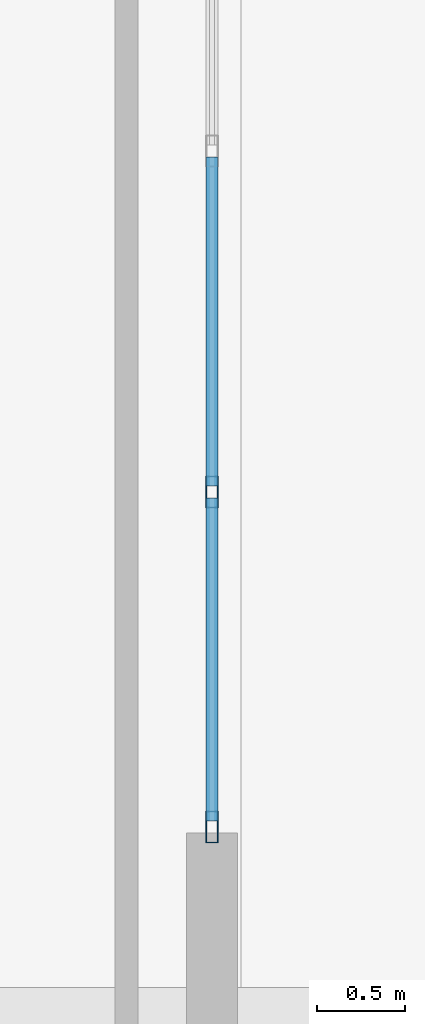
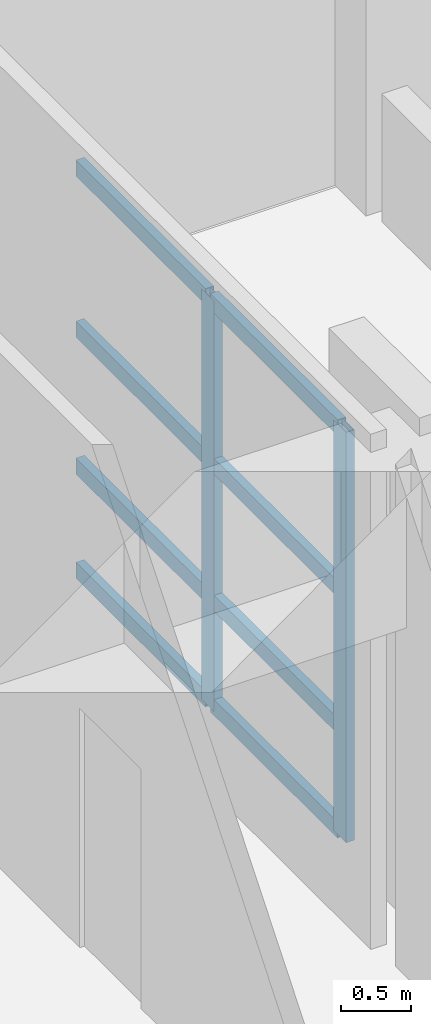
# One storey, part 19 of 123: 10 members, 1 element without a shape of its own.
"""IFC4 building model written with IfcOpenShell, lengths in metres."""

from ifc_helpers import new_model, si_unit, direction, frame, origin, origin_2d, place, context, subcontext, project, spatial, hollow_rectangle, extrude, material, layer, layer_set, material_profile, profile_set, type_object, element, aggregate, save


model = new_model("IFC4")

# Units and contexts
model_context = context("Model", 3, precision=1e-05, world=origin(), true_north=direction((0.0, 1.0)))
body_context = subcontext(model_context, "Body", "Model", "MODEL_VIEW")
ifc_project = project(units=[si_unit("LENGTHUNIT", "METRE"), si_unit("AREAUNIT", "SQUARE_METRE"), si_unit("VOLUMEUNIT", "CUBIC_METRE"), si_unit("PLANEANGLEUNIT", "RADIAN"), si_unit("MASSUNIT", "GRAM", prefix="KILO")], contexts=[model_context])

# Site, building, storey
site_placement = place(None, origin())
site = spatial("IfcSite", under=ifc_project, at=site_placement, CompositionType="ELEMENT")
building_placement = place(site_placement, origin())
building = spatial("IfcBuilding", under=site, at=building_placement, Name="Quendrovan Civic Courthouse", CompositionType="ELEMENT")
storey_placement = place(building_placement, frame((0.0, 0.0, 5.39990234375)))
storey = spatial("IfcBuildingStorey", under=building, at=storey_placement, Name="L02", CompositionType="ELEMENT", Elevation=5.39990234375)

# Curtain wall, members
ifc_material_1 = material(Name="Bronze anodised aluminium and low-E glass", Category="aluminium")
ifc_layer = layer(ifc_material_1, 0.179931640625, Name="Bronze anodised aluminium and low-E glass")
ifc_layer_set = layer_set([ifc_layer], Name="Bronze anodised aluminium and low-E glass")
curtain_wall_type = type_object("IfcCurtainWallType", Name="CW-U58x36", PredefinedType="USERDEFINED", material=ifc_layer_set)
curtain_wall_placement = place(storey_placement, origin())
curtain_wall = element("IfcCurtainWall", 1, at=curtain_wall_placement, inside=storey, type_object=curtain_wall_type, Name="L02 Unitised Hurricane Curtain Wall CW-076", ObjectType="UNITISED CURTAIN WALL", PredefinedType="USERDEFINED")
ifc_material_2 = material(Name="Bronze anodised aluminium", Category="aluminium")
ifc_material_profile_1 = material_profile(ifc_material_2, hollow_rectangle(XDim=0.070068359375, YDim=0.179931640625, WallThickness=0.00390625, at=origin_2d()), Name="CW-MULL-70x180")
ifc_profile_set_1 = profile_set([ifc_material_profile_1], Name="Bronze anodised aluminium")
member_type_1 = type_object("IfcMemberType", Name="CW-MULL-A", PredefinedType="MULLION", material=ifc_profile_set_1)
member_1_placement = place(storey_placement, frame((12.43505859375, 34.433349609375, 0.0), z_axis=(0.0, 0.0, 1.0), x_axis=(1.0, 0.0, 0.0)))
member_1 = element("IfcMember", 2, at=member_1_placement, type_object=member_type_1, Name="CW-076 mullion 3", PredefinedType="MULLION", context=body_context, shape_type="SweptSolid", body=[
    extrude(hollow_rectangle(XDim=0.070068359375, YDim=0.179931640625, WallThickness=0.00390625, at=origin_2d()), origin(), (0.0, 0.0, 1.0), 3.60009765625),
])
member_2_placement = place(storey_placement, frame((12.43505859375, 32.534912109375, 0.0), z_axis=(0.0, 0.0, 1.0), x_axis=(1.0, 0.0, 0.0)))
member_2 = element("IfcMember", 3, at=member_2_placement, type_object=member_type_1, Name="CW-076 mullion 4", PredefinedType="MULLION", context=body_context, shape_type="SweptSolid", body=[
    extrude(hollow_rectangle(XDim=0.070068359375, YDim=0.179931640625, WallThickness=0.00390625, at=origin_2d()), origin(), (0.0, 0.0, 1.0), 3.60009765625),
])
ifc_material_profile_2 = material_profile(ifc_material_2, hollow_rectangle(XDim=0.070068359375, YDim=0.139892578125, WallThickness=0.00390625, at=origin_2d()), Name="CW-TRAN-70x140")
ifc_profile_set_2 = profile_set([ifc_material_profile_2], Name="Bronze anodised aluminium")
member_type_2 = type_object("IfcMemberType", Name="CW-TRAN-A", PredefinedType="USERDEFINED", material=ifc_profile_set_2)
member_3_placement = place(storey_placement, frame((12.43505859375, 36.331787109375, 0.03515625), z_axis=(0.0, -1.0, 0.0), x_axis=(1.0, 0.0, 0.0)))
member_3 = element("IfcMember", 4, at=member_3_placement, type_object=member_type_2, Name="CW-076 transom 2.1", ObjectType="TRANSOM", PredefinedType="USERDEFINED", context=body_context, shape_type="SweptSolid", body=[
    extrude(hollow_rectangle(XDim=0.070068359375, YDim=0.139892578125, WallThickness=0.00390625, at=origin_2d()), origin(), (0.0, 0.0, 1.0), 1.863525390625),
])
member_4_placement = place(storey_placement, frame((12.43505859375, 36.331787109375, 0.9501953125), z_axis=(0.0, -1.0, 0.0), x_axis=(1.0, 0.0, 0.0)))
member_4 = element("IfcMember", 5, at=member_4_placement, type_object=member_type_2, Name="CW-076 transom 2.2", ObjectType="TRANSOM", PredefinedType="USERDEFINED", context=body_context, shape_type="SweptSolid", body=[
    extrude(hollow_rectangle(XDim=0.070068359375, YDim=0.139892578125, WallThickness=0.00390625, at=origin_2d()), origin(), (0.0, 0.0, 1.0), 1.863525390625),
])
member_5_placement = place(storey_placement, frame((12.43505859375, 36.331787109375, 2.150146484375), z_axis=(0.0, -1.0, 0.0), x_axis=(1.0, 0.0, 0.0)))
member_5 = element("IfcMember", 6, at=member_5_placement, type_object=member_type_2, Name="CW-076 transom 2.3", ObjectType="TRANSOM", PredefinedType="USERDEFINED", context=body_context, shape_type="SweptSolid", body=[
    extrude(hollow_rectangle(XDim=0.070068359375, YDim=0.139892578125, WallThickness=0.00390625, at=origin_2d()), origin(), (0.0, 0.0, 1.0), 1.863525390625),
])
member_6_placement = place(storey_placement, frame((12.43505859375, 36.331787109375, 3.565185546875), z_axis=(0.0, -1.0, 0.0), x_axis=(1.0, 0.0, 0.0)))
member_6 = element("IfcMember", 7, at=member_6_placement, type_object=member_type_2, Name="CW-076 transom 2.4", ObjectType="TRANSOM", PredefinedType="USERDEFINED", context=body_context, shape_type="SweptSolid", body=[
    extrude(hollow_rectangle(XDim=0.070068359375, YDim=0.139892578125, WallThickness=0.00390625, at=origin_2d()), origin(), (0.0, 0.0, 1.0), 1.863525390625),
])
member_7_placement = place(storey_placement, frame((12.43505859375, 34.3984375, 0.03515625), z_axis=(0.0, -1.0, 0.0), x_axis=(1.0, 0.0, 0.0)))
member_7 = element("IfcMember", 8, at=member_7_placement, type_object=member_type_2, Name="CW-076 transom 3.1", ObjectType="TRANSOM", PredefinedType="USERDEFINED", context=body_context, shape_type="SweptSolid", body=[
    extrude(hollow_rectangle(XDim=0.070068359375, YDim=0.139892578125, WallThickness=0.00390625, at=origin_2d()), origin(), (0.0, 0.0, 1.0), 1.828369140625),
])
member_8_placement = place(storey_placement, frame((12.43505859375, 34.3984375, 0.9501953125), z_axis=(0.0, -1.0, 0.0), x_axis=(1.0, 0.0, 0.0)))
member_8 = element("IfcMember", 9, at=member_8_placement, type_object=member_type_2, Name="CW-076 transom 3.2", ObjectType="TRANSOM", PredefinedType="USERDEFINED", context=body_context, shape_type="SweptSolid", body=[
    extrude(hollow_rectangle(XDim=0.070068359375, YDim=0.139892578125, WallThickness=0.00390625, at=origin_2d()), origin(), (0.0, 0.0, 1.0), 1.828369140625),
])
member_9_placement = place(storey_placement, frame((12.43505859375, 34.3984375, 2.150146484375), z_axis=(0.0, -1.0, 0.0), x_axis=(1.0, 0.0, 0.0)))
member_9 = element("IfcMember", 10, at=member_9_placement, type_object=member_type_2, Name="CW-076 transom 3.3", ObjectType="TRANSOM", PredefinedType="USERDEFINED", context=body_context, shape_type="SweptSolid", body=[
    extrude(hollow_rectangle(XDim=0.070068359375, YDim=0.139892578125, WallThickness=0.00390625, at=origin_2d()), origin(), (0.0, 0.0, 1.0), 1.828369140625),
])
member_10_placement = place(storey_placement, frame((12.43505859375, 34.3984375, 3.565185546875), z_axis=(0.0, -1.0, 0.0), x_axis=(1.0, 0.0, 0.0)))
member_10 = element("IfcMember", 11, at=member_10_placement, type_object=member_type_2, Name="CW-076 transom 3.4", ObjectType="TRANSOM", PredefinedType="USERDEFINED", context=body_context, shape_type="SweptSolid", body=[
    extrude(hollow_rectangle(XDim=0.070068359375, YDim=0.139892578125, WallThickness=0.00390625, at=origin_2d()), origin(), (0.0, 0.0, 1.0), 1.828369140625),
])
aggregate(curtain_wall, [member_1, member_2, member_3, member_4, member_5, member_6, member_7, member_8, member_9, member_10])

save(model, "model.ifc")
